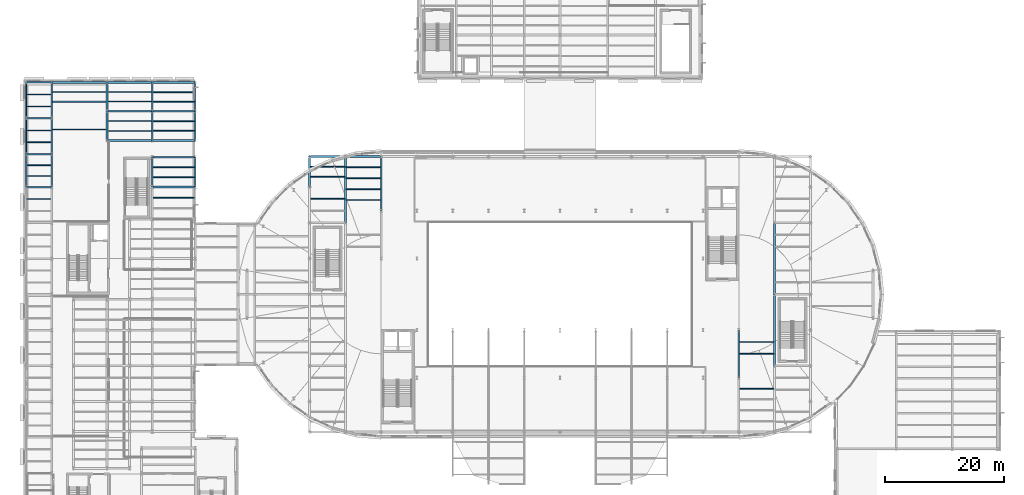
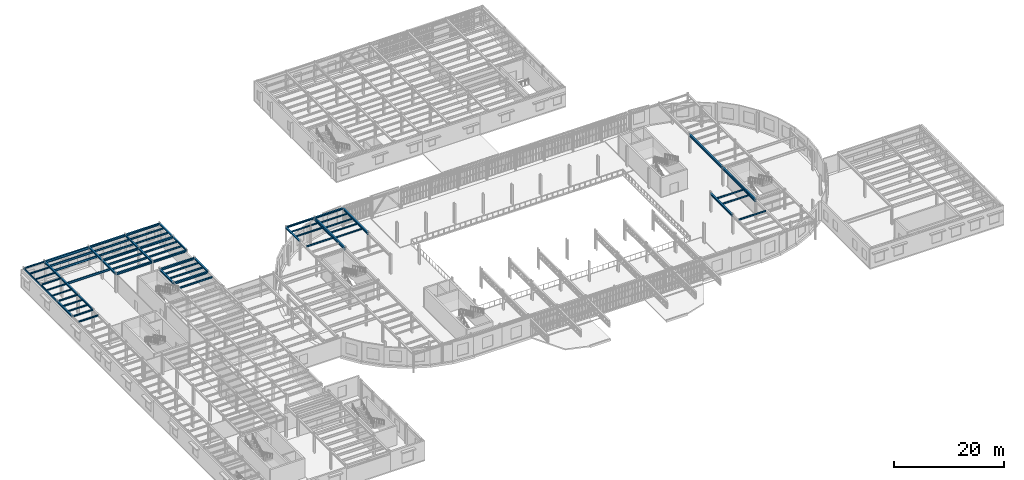
# One storey, part 27 of 91: 66 beams.
"""IFC4 building model written with IfcOpenShell, lengths in metres."""

from ifc_helpers import new_model, si_unit, direction, frame, origin, origin_2d, place, context, subcontext, project, spatial, hollow_rectangle, i_section, extrude, material, material_profile, profile_set, type_object, element, save


model = new_model("IFC4")

# Units and contexts
model_context = context("Model", 3, precision=1e-05, world=origin(), true_north=direction((0.0, 1.0)))
body_context = subcontext(model_context, "Body", "Model", "MODEL_VIEW")
ifc_project = project(units=[si_unit("LENGTHUNIT", "METRE"), si_unit("AREAUNIT", "SQUARE_METRE"), si_unit("VOLUMEUNIT", "CUBIC_METRE"), si_unit("PLANEANGLEUNIT", "RADIAN"), si_unit("MASSUNIT", "GRAM", prefix="KILO")], contexts=[model_context])

# Site, building, storey
site_placement = place(None, origin())
site = spatial("IfcSite", under=ifc_project, at=site_placement, CompositionType="ELEMENT")
building_placement = place(site_placement, origin())
building = spatial("IfcBuilding", under=site, at=building_placement, Name="Kolvaren Corner Interchange", CompositionType="ELEMENT")
storey_placement = place(building_placement, frame((0.0, 0.0, 6.0)))
storey = spatial("IfcBuildingStorey", under=building, at=storey_placement, Name="L02", CompositionType="ELEMENT", Elevation=6.0)

# Beams
ifc_material_1 = material(Name="Steel S355", Category="steel")
ifc_material_profile_1 = material_profile(ifc_material_1, i_section(OverallWidth=0.260009765625, OverallDepth=0.25, WebThickness=0.007568359375, FlangeThickness=0.012451171875, FilletRadius=0.02392578125, at=origin_2d()), Name="HEA 260")
ifc_profile_set_1 = profile_set([ifc_material_profile_1], Name="Steel S355")
beam_type_1 = type_object("IfcBeamType", Name="BM-HEA260", PredefinedType="BEAM", material=ifc_profile_set_1)
for number, where, z_axis, x_axis, name in (
    (1, (0.449951171875, 66.0, 4.125), (1.0, 0.0, 0.0), (0.0, 1.0, 0.0), "Storey L02 Grid X Primary Girder 0696"),
    (2, (0.449951171875, 71.5, 4.125), (1.0, 0.0, 0.0), (0.0, 1.0, 0.0), "Storey L02 Grid X Primary Girder 0697"),
    (3, (0.449951171875, 77.5, 4.125), (1.0, 0.0, 0.0), (0.0, 1.0, 0.0), "Storey L02 Grid X Primary Girder 0700"),
    (4, (0.449951171875, 83.550048828125, 4.125), (1.0, 0.0, 0.0), (0.0, 1.0, 0.0), "Storey L02 Grid X Primary Girder 0703"),
):
    element("IfcBeam", number, at=place(storey_placement, frame(where, z_axis=z_axis, x_axis=x_axis)), inside=storey, type_object=beam_type_1, Name=name, PredefinedType="BEAM", context=body_context, shape_type="SweptSolid", body=[
        extrude(i_section(OverallWidth=0.260009765625, OverallDepth=0.25, WebThickness=0.007568359375, FlangeThickness=0.012451171875, FilletRadius=0.02392578125, at=origin_2d()), origin(), (0.0, 0.0, 1.0), 4.300048828125),
    ])
ifc_material_2 = material(Name="Steel S355", Category="steel")
ifc_material_profile_2 = material_profile(ifc_material_2, i_section(OverallWidth=0.300048828125, OverallDepth=0.31005859375, WebThickness=0.009033203125, FlangeThickness=0.015380859375, FilletRadius=0.027099609375, at=origin_2d()), Name="HEA 320")
ifc_profile_set_2 = profile_set([ifc_material_profile_2], Name="Steel S355")
beam_type_2 = type_object("IfcBeamType", Name="BM-HEA320", PredefinedType="BEAM", material=ifc_profile_set_2)
for number, where, z_axis, x_axis, name in (
    (5, (21.60009765625, 66.0, 4.094970703125), (0.0, 1.0, 0.0), (-1.0, 0.0, 0.0), "Storey L02 Grid Y Primary Girder 0627"),
    (6, (28.800048828125, 66.0, 4.094970703125), (0.0, 1.0, 0.0), (-1.0, 0.0, 0.0), "Storey L02 Grid Y Primary Girder 0635"),
):
    element("IfcBeam", number, at=place(storey_placement, frame(where, z_axis=z_axis, x_axis=x_axis)), inside=storey, type_object=beam_type_2, Name=name, PredefinedType="BEAM", context=body_context, shape_type="SweptSolid", body=[
        extrude(i_section(OverallWidth=0.300048828125, OverallDepth=0.31005859375, WebThickness=0.009033203125, FlangeThickness=0.015380859375, FilletRadius=0.027099609375, at=origin_2d()), origin(), (0.0, 0.0, 1.0), 5.0),
    ])
beam_1_placement = place(storey_placement, frame((48.0, 66.0, 4.094970703125), z_axis=(0.0, 1.0, 0.0), x_axis=(-1.0, 0.0, 0.0)))
element("IfcBeam", 7, at=beam_1_placement, inside=storey, type_object=beam_type_2, Name="Storey L02 Grid Y Primary Girder 0648", PredefinedType="BEAM", context=body_context, shape_type="SweptSolid", body=[
    extrude(i_section(OverallWidth=0.300048828125, OverallDepth=0.31005859375, WebThickness=0.009033203125, FlangeThickness=0.015380859375, FilletRadius=0.027099609375, at=origin_2d()), origin(), (0.0, 0.0, 1.0), 5.10009765625),
])
for number, where, z_axis, x_axis, name in (
    (8, (0.449951171875, 66.0, 4.094970703125), (0.0, 1.0, 0.0), (-1.0, 0.0, 0.0), "Storey L02 Grid Y Primary Girder 0751"),
    (9, (4.75, 66.0, 4.094970703125), (0.0, 1.0, 0.0), (-1.0, 0.0, 0.0), "Storey L02 Grid Y Primary Girder 0765"),
):
    element("IfcBeam", number, at=place(storey_placement, frame(where, z_axis=z_axis, x_axis=x_axis)), inside=storey, type_object=beam_type_2, Name=name, PredefinedType="BEAM", context=body_context, shape_type="SweptSolid", body=[
        extrude(i_section(OverallWidth=0.300048828125, OverallDepth=0.31005859375, WebThickness=0.009033203125, FlangeThickness=0.015380859375, FilletRadius=0.027099609375, at=origin_2d()), origin(), (0.0, 0.0, 1.0), 5.5),
    ])
beam_2_placement = place(storey_placement, frame((14.0, 73.800048828125, 4.094970703125), z_axis=(0.0, 1.0, 0.0), x_axis=(-1.0, 0.0, 0.0)))
element("IfcBeam", 10, at=beam_2_placement, inside=storey, type_object=beam_type_2, Name="Storey L02 Grid Y Primary Girder 0768", PredefinedType="BEAM", context=body_context, shape_type="SweptSolid", body=[
    extrude(i_section(OverallWidth=0.300048828125, OverallDepth=0.31005859375, WebThickness=0.009033203125, FlangeThickness=0.015380859375, FilletRadius=0.027099609375, at=origin_2d()), origin(), (0.0, 0.0, 1.0), 4.89990234375),
])
beam_3_placement = place(storey_placement, frame((14.0, 78.699951171875, 4.094970703125), z_axis=(0.0, 1.0, 0.0), x_axis=(-1.0, 0.0, 0.0)))
element("IfcBeam", 11, at=beam_3_placement, inside=storey, type_object=beam_type_2, Name="Storey L02 Grid Y Primary Girder 0769", PredefinedType="BEAM", context=body_context, shape_type="SweptSolid", body=[
    extrude(i_section(OverallWidth=0.300048828125, OverallDepth=0.31005859375, WebThickness=0.009033203125, FlangeThickness=0.015380859375, FilletRadius=0.027099609375, at=origin_2d()), origin(), (0.0, 0.0, 1.0), 4.85009765625),
])
beam_4_placement = place(storey_placement, frame((21.60009765625, 73.800048828125, 4.094970703125), z_axis=(0.0, 1.0, 0.0), x_axis=(-1.0, 0.0, 0.0)))
element("IfcBeam", 12, at=beam_4_placement, inside=storey, type_object=beam_type_2, Name="Storey L02 Grid Y Primary Girder 0774", PredefinedType="BEAM", context=body_context, shape_type="SweptSolid", body=[
    extrude(i_section(OverallWidth=0.300048828125, OverallDepth=0.31005859375, WebThickness=0.009033203125, FlangeThickness=0.015380859375, FilletRadius=0.027099609375, at=origin_2d()), origin(), (0.0, 0.0, 1.0), 4.89990234375),
])
beam_5_placement = place(storey_placement, frame((21.60009765625, 78.699951171875, 4.094970703125), z_axis=(0.0, 1.0, 0.0), x_axis=(-1.0, 0.0, 0.0)))
element("IfcBeam", 13, at=beam_5_placement, inside=storey, type_object=beam_type_2, Name="Storey L02 Grid Y Primary Girder 0775", PredefinedType="BEAM", context=body_context, shape_type="SweptSolid", body=[
    extrude(i_section(OverallWidth=0.300048828125, OverallDepth=0.31005859375, WebThickness=0.009033203125, FlangeThickness=0.015380859375, FilletRadius=0.027099609375, at=origin_2d()), origin(), (0.0, 0.0, 1.0), 4.85009765625),
])
beam_6_placement = place(storey_placement, frame((28.800048828125, 73.800048828125, 4.094970703125), z_axis=(0.0, 1.0, 0.0), x_axis=(-1.0, 0.0, 0.0)))
element("IfcBeam", 14, at=beam_6_placement, inside=storey, type_object=beam_type_2, Name="Storey L02 Grid Y Primary Girder 0780", PredefinedType="BEAM", context=body_context, shape_type="SweptSolid", body=[
    extrude(i_section(OverallWidth=0.300048828125, OverallDepth=0.31005859375, WebThickness=0.009033203125, FlangeThickness=0.015380859375, FilletRadius=0.027099609375, at=origin_2d()), origin(), (0.0, 0.0, 1.0), 4.89990234375),
])
beam_7_placement = place(storey_placement, frame((28.800048828125, 78.699951171875, 4.094970703125), z_axis=(0.0, 1.0, 0.0), x_axis=(-1.0, 0.0, 0.0)))
element("IfcBeam", 15, at=beam_7_placement, inside=storey, type_object=beam_type_2, Name="Storey L02 Grid Y Primary Girder 0781", PredefinedType="BEAM", context=body_context, shape_type="SweptSolid", body=[
    extrude(i_section(OverallWidth=0.300048828125, OverallDepth=0.31005859375, WebThickness=0.009033203125, FlangeThickness=0.015380859375, FilletRadius=0.027099609375, at=origin_2d()), origin(), (0.0, 0.0, 1.0), 4.85009765625),
])
ifc_material_3 = material(Name="Steel S355", Category="steel")
ifc_material_profile_3 = material_profile(ifc_material_3, i_section(OverallWidth=0.300048828125, OverallDepth=0.35009765625, WebThickness=0.010009765625, FlangeThickness=0.017578125, FilletRadius=0.027099609375, at=origin_2d()), Name="HEA 360")
ifc_profile_set_3 = profile_set([ifc_material_profile_3], Name="Steel S355")
beam_type_3 = type_object("IfcBeamType", Name="BM-HEA360", PredefinedType="BEAM", material=ifc_profile_set_3)
for number, where, z_axis, x_axis, name in (
    (16, (48.0, 71.10009765625, 4.074951171875), (1.0, 0.0, 0.0), (0.0, 1.0, 0.0), "Storey L02 Grid X Primary Girder 0589"),
    (17, (54.0, 71.10009765625, 4.074951171875), (1.0, 0.0, 0.0), (0.0, 1.0, 0.0), "Storey L02 Grid X Primary Girder 0590"),
):
    element("IfcBeam", number, at=place(storey_placement, frame(where, z_axis=z_axis, x_axis=x_axis)), inside=storey, type_object=beam_type_3, Name=name, PredefinedType="BEAM", context=body_context, shape_type="SweptSolid", body=[
        extrude(i_section(OverallWidth=0.300048828125, OverallDepth=0.35009765625, WebThickness=0.010009765625, FlangeThickness=0.017578125, FilletRadius=0.027099609375, at=origin_2d()), origin(), (0.0, 0.0, 1.0), 6.0),
    ])
ifc_material_4 = material(Name="Steel S355", Category="steel")
ifc_material_profile_4 = material_profile(ifc_material_4, i_section(OverallWidth=0.300048828125, OverallDepth=0.389892578125, WebThickness=0.010986328125, FlangeThickness=0.01904296875, FilletRadius=0.027099609375, at=origin_2d()), Name="HEA 400")
ifc_profile_set_4 = profile_set([ifc_material_profile_4], Name="Steel S355")
beam_type_4 = type_object("IfcBeamType", Name="BM-HEA400", PredefinedType="BEAM", material=ifc_profile_set_4)
beam_8_placement = place(storey_placement, frame((4.75, 71.5, 4.054931640625), z_axis=(0.0, 1.0, 0.0), x_axis=(-1.0, 0.0, 0.0)))
element("IfcBeam", 18, at=beam_8_placement, inside=storey, type_object=beam_type_4, Name="Storey L02 Grid Y Primary Girder 0766", PredefinedType="BEAM", context=body_context, shape_type="SweptSolid", body=[
    extrude(i_section(OverallWidth=0.300048828125, OverallDepth=0.389892578125, WebThickness=0.010986328125, FlangeThickness=0.01904296875, FilletRadius=0.027099609375, at=origin_2d()), origin(), (0.0, 0.0, 1.0), 6.0),
])
beam_9_placement = place(storey_placement, frame((4.75, 77.5, 4.054931640625), z_axis=(0.0, 1.0, 0.0), x_axis=(-1.0, 0.0, 0.0)))
element("IfcBeam", 19, at=beam_9_placement, inside=storey, type_object=beam_type_4, Name="Storey L02 Grid Y Primary Girder 0767", PredefinedType="BEAM", context=body_context, shape_type="SweptSolid", body=[
    extrude(i_section(OverallWidth=0.300048828125, OverallDepth=0.389892578125, WebThickness=0.010986328125, FlangeThickness=0.01904296875, FilletRadius=0.027099609375, at=origin_2d()), origin(), (0.0, 0.0, 1.0), 6.050048828125),
])
ifc_material_5 = material(Name="Steel S355", Category="steel")
ifc_material_profile_5 = material_profile(ifc_material_5, i_section(OverallWidth=0.300048828125, OverallDepth=0.43994140625, WebThickness=0.011474609375, FlangeThickness=0.02099609375, FilletRadius=0.027099609375, at=origin_2d()), Name="HEA 450")
ifc_profile_set_5 = profile_set([ifc_material_profile_5], Name="Steel S355")
beam_type_5 = type_object("IfcBeamType", Name="BM-HEA450", PredefinedType="BEAM", material=ifc_profile_set_5)
for number, where, z_axis, x_axis, name in (
    (20, (21.60009765625, 66.0, 4.030029296875), (1.0, 0.0, 0.0), (0.0, 1.0, 0.0), "Storey L02 Grid X Primary Girder 0587"),
    (21, (21.60009765625, 71.0, 4.030029296875), (1.0, 0.0, 0.0), (0.0, 1.0, 0.0), "Storey L02 Grid X Primary Girder 0588"),
):
    element("IfcBeam", number, at=place(storey_placement, frame(where, z_axis=z_axis, x_axis=x_axis)), inside=storey, type_object=beam_type_5, Name=name, PredefinedType="BEAM", context=body_context, shape_type="SweptSolid", body=[
        extrude(i_section(OverallWidth=0.300048828125, OverallDepth=0.43994140625, WebThickness=0.011474609375, FlangeThickness=0.02099609375, FilletRadius=0.027099609375, at=origin_2d()), origin(), (0.0, 0.0, 1.0), 7.199951171875),
    ])
beam_10_placement = place(storey_placement, frame((14.0, 73.800048828125, 4.030029296875), z_axis=(1.0, 0.0, 0.0), x_axis=(0.0, 1.0, 0.0)))
element("IfcBeam", 22, at=beam_10_placement, inside=storey, type_object=beam_type_5, Name="Storey L02 Grid X Primary Girder 0698", PredefinedType="BEAM", context=body_context, shape_type="SweptSolid", body=[
    extrude(i_section(OverallWidth=0.300048828125, OverallDepth=0.43994140625, WebThickness=0.011474609375, FlangeThickness=0.02099609375, FilletRadius=0.027099609375, at=origin_2d()), origin(), (0.0, 0.0, 1.0), 7.60009765625),
])
beam_11_placement = place(storey_placement, frame((21.60009765625, 73.800048828125, 4.030029296875), z_axis=(1.0, 0.0, 0.0), x_axis=(0.0, 1.0, 0.0)))
element("IfcBeam", 23, at=beam_11_placement, inside=storey, type_object=beam_type_5, Name="Storey L02 Grid X Primary Girder 0699", PredefinedType="BEAM", context=body_context, shape_type="SweptSolid", body=[
    extrude(i_section(OverallWidth=0.300048828125, OverallDepth=0.43994140625, WebThickness=0.011474609375, FlangeThickness=0.02099609375, FilletRadius=0.027099609375, at=origin_2d()), origin(), (0.0, 0.0, 1.0), 7.199951171875),
])
beam_12_placement = place(storey_placement, frame((14.0, 78.699951171875, 4.030029296875), z_axis=(1.0, 0.0, 0.0), x_axis=(0.0, 1.0, 0.0)))
element("IfcBeam", 24, at=beam_12_placement, inside=storey, type_object=beam_type_5, Name="Storey L02 Grid X Primary Girder 0701", PredefinedType="BEAM", context=body_context, shape_type="SweptSolid", body=[
    extrude(i_section(OverallWidth=0.300048828125, OverallDepth=0.43994140625, WebThickness=0.011474609375, FlangeThickness=0.02099609375, FilletRadius=0.027099609375, at=origin_2d()), origin(), (0.0, 0.0, 1.0), 7.60009765625),
])
beam_13_placement = place(storey_placement, frame((21.60009765625, 78.699951171875, 4.030029296875), z_axis=(1.0, 0.0, 0.0), x_axis=(0.0, 1.0, 0.0)))
element("IfcBeam", 25, at=beam_13_placement, inside=storey, type_object=beam_type_5, Name="Storey L02 Grid X Primary Girder 0702", PredefinedType="BEAM", context=body_context, shape_type="SweptSolid", body=[
    extrude(i_section(OverallWidth=0.300048828125, OverallDepth=0.43994140625, WebThickness=0.011474609375, FlangeThickness=0.02099609375, FilletRadius=0.027099609375, at=origin_2d()), origin(), (0.0, 0.0, 1.0), 7.199951171875),
])
beam_14_placement = place(storey_placement, frame((14.0, 83.550048828125, 4.030029296875), z_axis=(1.0, 0.0, 0.0), x_axis=(0.0, 1.0, 0.0)))
element("IfcBeam", 26, at=beam_14_placement, inside=storey, type_object=beam_type_5, Name="Storey L02 Grid X Primary Girder 0705", PredefinedType="BEAM", context=body_context, shape_type="SweptSolid", body=[
    extrude(i_section(OverallWidth=0.300048828125, OverallDepth=0.43994140625, WebThickness=0.011474609375, FlangeThickness=0.02099609375, FilletRadius=0.027099609375, at=origin_2d()), origin(), (0.0, 0.0, 1.0), 7.60009765625),
])
beam_15_placement = place(storey_placement, frame((21.60009765625, 83.550048828125, 4.030029296875), z_axis=(1.0, 0.0, 0.0), x_axis=(0.0, 1.0, 0.0)))
element("IfcBeam", 27, at=beam_15_placement, inside=storey, type_object=beam_type_5, Name="Storey L02 Grid X Primary Girder 0706", PredefinedType="BEAM", context=body_context, shape_type="SweptSolid", body=[
    extrude(i_section(OverallWidth=0.300048828125, OverallDepth=0.43994140625, WebThickness=0.011474609375, FlangeThickness=0.02099609375, FilletRadius=0.027099609375, at=origin_2d()), origin(), (0.0, 0.0, 1.0), 7.199951171875),
])
ifc_material_6 = material(Name="Steel S355", Category="steel")
ifc_material_profile_6 = material_profile(ifc_material_6, i_section(OverallWidth=0.300048828125, OverallDepth=0.489990234375, WebThickness=0.011962890625, FlangeThickness=0.02294921875, FilletRadius=0.027099609375, at=origin_2d()), Name="HEA 500")
ifc_profile_set_6 = profile_set([ifc_material_profile_6], Name="Steel S355")
beam_type_6 = type_object("IfcBeamType", Name="BM-HEA500", PredefinedType="BEAM", material=ifc_profile_set_6)
beam_16_placement = place(storey_placement, frame((60.0, 62.0, 4.0048828125), z_axis=(0.0, 1.0, 0.0), x_axis=(-1.0, 0.0, 0.0)))
element("IfcBeam", 28, at=beam_16_placement, inside=storey, type_object=beam_type_6, Name="Storey L02 Grid Y Primary Girder 0654", PredefinedType="BEAM", context=body_context, shape_type="SweptSolid", body=[
    extrude(i_section(OverallWidth=0.300048828125, OverallDepth=0.489990234375, WebThickness=0.011962890625, FlangeThickness=0.02294921875, FilletRadius=0.027099609375, at=origin_2d()), origin(), (0.0, 0.0, 1.0), 9.10009765625),
])
beam_17_placement = place(storey_placement, frame((120.0, 34.0, 4.0048828125), z_axis=(0.0, 1.0, 0.0), x_axis=(-1.0, 0.0, 0.0)))
element("IfcBeam", 29, at=beam_17_placement, inside=storey, type_object=beam_type_6, Name="Storey L02 Grid Y Primary Girder 0656", PredefinedType="BEAM", context=body_context, shape_type="SweptSolid", body=[
    extrude(i_section(OverallWidth=0.300048828125, OverallDepth=0.489990234375, WebThickness=0.011962890625, FlangeThickness=0.02294921875, FilletRadius=0.027099609375, at=origin_2d()), origin(), (0.0, 0.0, 1.0), 8.0),
])
ifc_material_7 = material(Name="Steel S355", Category="steel")
ifc_material_profile_7 = material_profile(ifc_material_7, i_section(OverallWidth=0.300048828125, OverallDepth=0.5400390625, WebThickness=0.012451171875, FlangeThickness=0.02392578125, FilletRadius=0.027099609375, at=origin_2d()), Name="HEA 550")
ifc_profile_set_7 = profile_set([ifc_material_profile_7], Name="Steel S355")
beam_type_7 = type_object("IfcBeamType", Name="BM-HEA550", PredefinedType="BEAM", material=ifc_profile_set_7)
beam_18_placement = place(storey_placement, frame((4.75, 83.550048828125, 3.97998046875), z_axis=(1.0, 0.0, 0.0), x_axis=(0.0, 1.0, 0.0)))
element("IfcBeam", 30, at=beam_18_placement, inside=storey, type_object=beam_type_7, Name="Storey L02 Grid X Primary Girder 0704", PredefinedType="BEAM", context=body_context, shape_type="SweptSolid", body=[
    extrude(i_section(OverallWidth=0.300048828125, OverallDepth=0.5400390625, WebThickness=0.012451171875, FlangeThickness=0.02392578125, FilletRadius=0.027099609375, at=origin_2d()), origin(), (0.0, 0.0, 1.0), 9.25),
])
ifc_material_8 = material(Name="Steel S355", Category="steel")
ifc_material_profile_8 = material_profile(ifc_material_8, i_section(OverallWidth=0.300048828125, OverallDepth=0.590087890625, WebThickness=0.012939453125, FlangeThickness=0.02490234375, FilletRadius=0.027099609375, at=origin_2d()), Name="HEA 600")
ifc_profile_set_8 = profile_set([ifc_material_profile_8], Name="Steel S355")
beam_type_8 = type_object("IfcBeamType", Name="BM-HEA600", PredefinedType="BEAM", material=ifc_profile_set_8)
beam_19_placement = place(storey_placement, frame((54.0, 60.0, 3.955078125), z_axis=(0.0, 1.0, 0.0), x_axis=(-1.0, 0.0, 0.0)))
element("IfcBeam", 31, at=beam_19_placement, inside=storey, type_object=beam_type_8, Name="Storey L02 Grid Y Primary Girder 0652", PredefinedType="BEAM", context=body_context, shape_type="SweptSolid", body=[
    extrude(i_section(OverallWidth=0.300048828125, OverallDepth=0.590087890625, WebThickness=0.012939453125, FlangeThickness=0.02490234375, FilletRadius=0.027099609375, at=origin_2d()), origin(), (0.0, 0.0, 1.0), 11.10009765625),
])
for number, where, z_axis, x_axis, name in (
    (32, (126.0, 36.0, 3.955078125), (0.0, 1.0, 0.0), (-1.0, 0.0, 0.0), "Storey L02 Grid Y Primary Girder 0658"),
    (33, (126.0, 48.0, 3.955078125), (0.0, 1.0, 0.0), (-1.0, 0.0, 0.0), "Storey L02 Grid Y Primary Girder 0659"),
):
    element("IfcBeam", number, at=place(storey_placement, frame(where, z_axis=z_axis, x_axis=x_axis)), inside=storey, type_object=beam_type_8, Name=name, PredefinedType="BEAM", context=body_context, shape_type="SweptSolid", body=[
        extrude(i_section(OverallWidth=0.300048828125, OverallDepth=0.590087890625, WebThickness=0.012939453125, FlangeThickness=0.02490234375, FilletRadius=0.027099609375, at=origin_2d()), origin(), (0.0, 0.0, 1.0), 12.0),
    ])
ifc_material_9 = material(Name="Steel S355", Category="steel")
ifc_material_profile_9 = material_profile(ifc_material_9, i_section(OverallWidth=0.1201171875, OverallDepth=0.239990234375, WebThickness=0.006103515625, FlangeThickness=0.009765625, FilletRadius=0.014892578125, at=origin_2d()), Name="IPE 240")
ifc_profile_set_9 = profile_set([ifc_material_profile_9], Name="Steel S355")
beam_type_9 = type_object("IfcBeamType", Name="JS-IPE240", PredefinedType="JOIST", material=ifc_profile_set_9)
beam_20_placement = place(storey_placement, frame((0.550048828125, 64.0, 4.1298828125), z_axis=(1.0, 0.0, 0.0), x_axis=(0.0, 1.0, 0.0)))
element("IfcBeam", 34, at=beam_20_placement, inside=storey, type_object=beam_type_9, Name="Storey L02 Composite Floor Joist 0660", PredefinedType="JOIST", context=body_context, shape_type="SweptSolid", body=[
    extrude(i_section(OverallWidth=0.1201171875, OverallDepth=0.239990234375, WebThickness=0.006103515625, FlangeThickness=0.009765625, FilletRadius=0.014892578125, at=origin_2d()), origin(), (0.0, 0.0, 1.0), 4.050048828125),
])
for number, where, z_axis, x_axis, name in (
    (35, (0.60009765625, 67.833251953125, 4.1298828125), (1.0, 0.0, 0.0), (0.0, 1.0, 0.0), "Storey L02 Composite Floor Joist 0661"),
    (36, (0.60009765625, 69.666748046875, 4.1298828125), (1.0, 0.0, 0.0), (0.0, 1.0, 0.0), "Storey L02 Composite Floor Joist 0662"),
):
    element("IfcBeam", number, at=place(storey_placement, frame(where, z_axis=z_axis, x_axis=x_axis)), inside=storey, type_object=beam_type_9, Name=name, PredefinedType="JOIST", context=body_context, shape_type="SweptSolid", body=[
        extrude(i_section(OverallWidth=0.1201171875, OverallDepth=0.239990234375, WebThickness=0.006103515625, FlangeThickness=0.009765625, FilletRadius=0.014892578125, at=origin_2d()), origin(), (0.0, 0.0, 1.0), 4.0),
    ])
for number, where, z_axis, x_axis, name in (
    (37, (0.550048828125, 73.5, 4.1298828125), (1.0, 0.0, 0.0), (0.0, 1.0, 0.0), "Storey L02 Composite Floor Joist 0663"),
    (38, (0.550048828125, 75.5, 4.1298828125), (1.0, 0.0, 0.0), (0.0, 1.0, 0.0), "Storey L02 Composite Floor Joist 0664"),
    (39, (0.550048828125, 79.5166015625, 4.1298828125), (1.0, 0.0, 0.0), (0.0, 1.0, 0.0), "Storey L02 Composite Floor Joist 0665"),
    (40, (0.550048828125, 81.533203125, 4.1298828125), (1.0, 0.0, 0.0), (0.0, 1.0, 0.0), "Storey L02 Composite Floor Joist 0666"),
):
    element("IfcBeam", number, at=place(storey_placement, frame(where, z_axis=z_axis, x_axis=x_axis)), inside=storey, type_object=beam_type_9, Name=name, PredefinedType="JOIST", context=body_context, shape_type="SweptSolid", body=[
        extrude(i_section(OverallWidth=0.1201171875, OverallDepth=0.239990234375, WebThickness=0.006103515625, FlangeThickness=0.009765625, FilletRadius=0.014892578125, at=origin_2d()), origin(), (0.0, 0.0, 1.0), 4.050048828125),
    ])
ifc_material_10 = material(Name="Steel S355", Category="steel")
ifc_material_profile_10 = material_profile(ifc_material_10, i_section(OverallWidth=0.159912109375, OverallDepth=0.330078125, WebThickness=0.007568359375, FlangeThickness=0.011474609375, FilletRadius=0.01806640625, at=origin_2d()), Name="IPE 330")
ifc_profile_set_10 = profile_set([ifc_material_profile_10], Name="Steel S355")
beam_type_10 = type_object("IfcBeamType", Name="JS-IPE330", PredefinedType="JOIST", material=ifc_profile_set_10)
for number, where, z_axis, x_axis, name in (
    (41, (48.14990234375, 64.0, 4.0849609375), (1.0, 0.0, 0.0), (0.0, 1.0, 0.0), "Storey L02 Composite Floor Joist 0610"),
    (42, (48.14990234375, 67.699951171875, 4.0849609375), (1.0, 0.0, 0.0), (0.0, 1.0, 0.0), "Storey L02 Composite Floor Joist 0611"),
    (43, (48.14990234375, 69.39990234375, 4.0849609375), (1.0, 0.0, 0.0), (0.0, 1.0, 0.0), "Storey L02 Composite Floor Joist 0612"),
    (44, (54.14990234375, 63.820068359375, 4.0849609375), (1.0, 0.0, 0.0), (0.0, 1.0, 0.0), "Storey L02 Composite Floor Joist 0615"),
    (45, (54.14990234375, 65.639892578125, 4.0849609375), (1.0, 0.0, 0.0), (0.0, 1.0, 0.0), "Storey L02 Composite Floor Joist 0616"),
    (46, (54.14990234375, 67.4599609375, 4.0849609375), (1.0, 0.0, 0.0), (0.0, 1.0, 0.0), "Storey L02 Composite Floor Joist 0617"),
    (47, (54.14990234375, 69.280029296875, 4.0849609375), (1.0, 0.0, 0.0), (0.0, 1.0, 0.0), "Storey L02 Composite Floor Joist 0618"),
    (48, (120.14990234375, 32.179931640625, 4.0849609375), (1.0, 0.0, 0.0), (0.0, 1.0, 0.0), "Storey L02 Composite Floor Joist 0622"),
    (49, (120.14990234375, 38.0, 4.0849609375), (1.0, 0.0, 0.0), (0.0, 1.0, 0.0), "Storey L02 Composite Floor Joist 0623"),
    (50, (120.14990234375, 40.0, 4.0849609375), (1.0, 0.0, 0.0), (0.0, 1.0, 0.0), "Storey L02 Composite Floor Joist 0624"),
):
    element("IfcBeam", number, at=place(storey_placement, frame(where, z_axis=z_axis, x_axis=x_axis)), inside=storey, type_object=beam_type_10, Name=name, PredefinedType="JOIST", context=body_context, shape_type="SweptSolid", body=[
        extrude(i_section(OverallWidth=0.159912109375, OverallDepth=0.330078125, WebThickness=0.007568359375, FlangeThickness=0.011474609375, FilletRadius=0.01806640625, at=origin_2d()), origin(), (0.0, 0.0, 1.0), 5.7001953125),
    ])
ifc_material_11 = material(Name="Steel S355", Category="steel")
ifc_material_profile_11 = material_profile(ifc_material_11, i_section(OverallWidth=0.169921875, OverallDepth=0.360107421875, WebThickness=0.008056640625, FlangeThickness=0.0126953125, FilletRadius=0.01806640625, at=origin_2d()), Name="IPE 360")
ifc_profile_set_11 = profile_set([ifc_material_profile_11], Name="Steel S355")
beam_type_11 = type_object("IfcBeamType", Name="JS-IPE360", PredefinedType="JOIST", material=ifc_profile_set_11)
for number, where, z_axis, x_axis, name in (
    (51, (21.75, 64.199951171875, 4.070068359375), (1.0, 0.0, 0.0), (0.0, 1.0, 0.0), "Storey L02 Composite Floor Joist 0582"),
    (52, (21.75, 67.666748046875, 4.070068359375), (1.0, 0.0, 0.0), (0.0, 1.0, 0.0), "Storey L02 Composite Floor Joist 0583"),
    (53, (21.75, 69.333251953125, 4.070068359375), (1.0, 0.0, 0.0), (0.0, 1.0, 0.0), "Storey L02 Composite Floor Joist 0584"),
    (54, (21.75, 75.433349609375, 4.070068359375), (1.0, 0.0, 0.0), (0.0, 1.0, 0.0), "Storey L02 Composite Floor Joist 0682"),
    (55, (21.75, 77.066650390625, 4.070068359375), (1.0, 0.0, 0.0), (0.0, 1.0, 0.0), "Storey L02 Composite Floor Joist 0683"),
    (56, (21.75, 80.316650390625, 4.070068359375), (1.0, 0.0, 0.0), (0.0, 1.0, 0.0), "Storey L02 Composite Floor Joist 0684"),
    (57, (21.75, 81.933349609375, 4.070068359375), (1.0, 0.0, 0.0), (0.0, 1.0, 0.0), "Storey L02 Composite Floor Joist 0685"),
):
    element("IfcBeam", number, at=place(storey_placement, frame(where, z_axis=z_axis, x_axis=x_axis)), inside=storey, type_object=beam_type_11, Name=name, PredefinedType="JOIST", context=body_context, shape_type="SweptSolid", body=[
        extrude(i_section(OverallWidth=0.169921875, OverallDepth=0.360107421875, WebThickness=0.008056640625, FlangeThickness=0.0126953125, FilletRadius=0.01806640625, at=origin_2d()), origin(), (0.0, 0.0, 1.0), 6.89990234375),
    ])
ifc_material_12 = material(Name="Steel S355", Category="steel")
ifc_material_profile_12 = material_profile(ifc_material_12, i_section(OverallWidth=0.179931640625, OverallDepth=0.39990234375, WebThickness=0.008544921875, FlangeThickness=0.013427734375, FilletRadius=0.02099609375, at=origin_2d()), Name="IPE 400")
ifc_profile_set_12 = profile_set([ifc_material_profile_12], Name="Steel S355")
beam_type_12 = type_object("IfcBeamType", Name="JS-IPE400", PredefinedType="JOIST", material=ifc_profile_set_12)
for number, where, z_axis, x_axis, name in (
    (58, (14.14990234375, 75.433349609375, 4.050048828125), (1.0, 0.0, 0.0), (0.0, 1.0, 0.0), "Storey L02 Composite Floor Joist 0670"),
    (59, (14.14990234375, 77.066650390625, 4.050048828125), (1.0, 0.0, 0.0), (0.0, 1.0, 0.0), "Storey L02 Composite Floor Joist 0671"),
    (60, (14.14990234375, 80.316650390625, 4.050048828125), (1.0, 0.0, 0.0), (0.0, 1.0, 0.0), "Storey L02 Composite Floor Joist 0672"),
    (61, (14.14990234375, 81.933349609375, 4.050048828125), (1.0, 0.0, 0.0), (0.0, 1.0, 0.0), "Storey L02 Composite Floor Joist 0673"),
):
    element("IfcBeam", number, at=place(storey_placement, frame(where, z_axis=z_axis, x_axis=x_axis)), inside=storey, type_object=beam_type_12, Name=name, PredefinedType="JOIST", context=body_context, shape_type="SweptSolid", body=[
        extrude(i_section(OverallWidth=0.179931640625, OverallDepth=0.39990234375, WebThickness=0.008544921875, FlangeThickness=0.013427734375, FilletRadius=0.02099609375, at=origin_2d()), origin(), (0.0, 0.0, 1.0), 7.300048828125),
    ])
ifc_material_13 = material(Name="Steel S355", Category="steel")
ifc_material_profile_13 = material_profile(ifc_material_13, i_section(OverallWidth=0.18994140625, OverallDepth=0.449951171875, WebThickness=0.009521484375, FlangeThickness=0.0146484375, FilletRadius=0.02099609375, at=origin_2d()), Name="IPE 450")
ifc_profile_set_13 = profile_set([ifc_material_profile_13], Name="Steel S355")
beam_type_13 = type_object("IfcBeamType", Name="JS-IPE450", PredefinedType="JOIST", material=ifc_profile_set_13)
for number, where, z_axis, x_axis, name in (
    (62, (4.89990234375, 75.64990234375, 4.02490234375), (1.0, 0.0, 0.0), (0.0, 1.0, 0.0), "Storey L02 Composite Floor Joist 0667"),
    (63, (4.89990234375, 80.316650390625, 4.02490234375), (1.0, 0.0, 0.0), (0.0, 1.0, 0.0), "Storey L02 Composite Floor Joist 0668"),
    (64, (4.89990234375, 81.933349609375, 4.02490234375), (1.0, 0.0, 0.0), (0.0, 1.0, 0.0), "Storey L02 Composite Floor Joist 0669"),
):
    element("IfcBeam", number, at=place(storey_placement, frame(where, z_axis=z_axis, x_axis=x_axis)), inside=storey, type_object=beam_type_13, Name=name, PredefinedType="JOIST", context=body_context, shape_type="SweptSolid", body=[
        extrude(i_section(OverallWidth=0.18994140625, OverallDepth=0.449951171875, WebThickness=0.009521484375, FlangeThickness=0.0146484375, FilletRadius=0.02099609375, at=origin_2d()), origin(), (0.0, 0.0, 1.0), 8.9501953125),
    ])
ifc_material_14 = material(Name="Steel S355", Category="steel")
ifc_material_profile_14 = material_profile(ifc_material_14, hollow_rectangle(XDim=0.199951171875, YDim=0.35009765625, WallThickness=0.012451171875, InnerFilletRadius=0.012451171875, OuterFilletRadius=0.02490234375, at=origin_2d()), Name="RHS 350x200x12.5")
ifc_profile_set_14 = profile_set([ifc_material_profile_14], Name="Steel S355")
beam_type_14 = type_object("IfcBeamType", Name="SP-RHS350", PredefinedType="SPANDREL", material=ifc_profile_set_14)
beam_21_placement = place(storey_placement, frame((0.449951171875, 71.5, 4.074951171875), z_axis=(0.0, 1.0, 0.0), x_axis=(-1.0, 0.0, 0.0)))
element("IfcBeam", 65, at=beam_21_placement, inside=storey, type_object=beam_type_14, Name="Storey L02 Grid Y Primary Girder 0752", PredefinedType="SPANDREL", context=body_context, shape_type="SweptSolid", body=[
    extrude(hollow_rectangle(XDim=0.199951171875, YDim=0.35009765625, WallThickness=0.012451171875, InnerFilletRadius=0.012451171875, OuterFilletRadius=0.02490234375, at=origin_2d()), origin(), (0.0, 0.0, 1.0), 6.0),
])
beam_22_placement = place(storey_placement, frame((0.449951171875, 77.5, 4.074951171875), z_axis=(0.0, 1.0, 0.0), x_axis=(-1.0, 0.0, 0.0)))
element("IfcBeam", 66, at=beam_22_placement, inside=storey, type_object=beam_type_14, Name="Storey L02 Grid Y Primary Girder 0753", PredefinedType="SPANDREL", context=body_context, shape_type="SweptSolid", body=[
    extrude(hollow_rectangle(XDim=0.199951171875, YDim=0.35009765625, WallThickness=0.012451171875, InnerFilletRadius=0.012451171875, OuterFilletRadius=0.02490234375, at=origin_2d()), origin(), (0.0, 0.0, 1.0), 6.050048828125),
])

save(model, "model.ifc")
